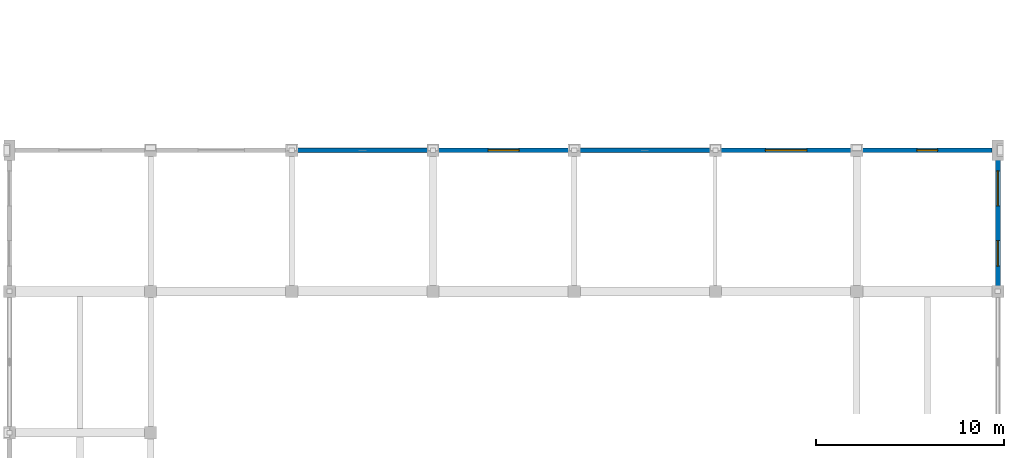
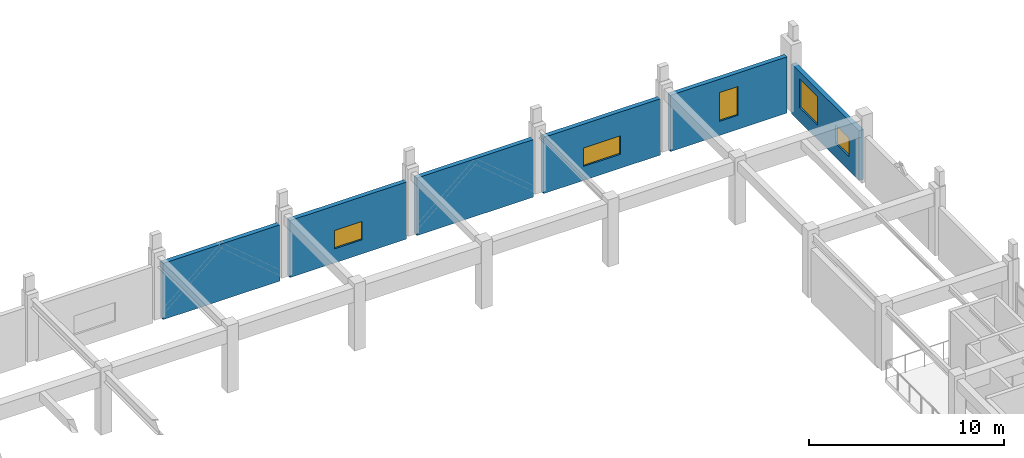
# One storey, part 38 of 51: 6 walls, 5 windows, 5 openings.
"""IFC4 building model written with IfcOpenShell, lengths in metres."""

from ifc_helpers import new_model, si_unit, direction, frame, frame_2d, origin, place, context, subcontext, project, spatial, rectangle, extrude, material, layer, layer_set, type_object, element, fill, save


model = new_model("IFC4")

# Units and contexts
model_context = context("Model", 3, precision=1e-05, world=origin(), true_north=direction((0.0, 1.0)))
body_context = subcontext(model_context, "Body", "Model", "MODEL_VIEW")
ifc_project = project(units=[si_unit("LENGTHUNIT", "METRE"), si_unit("AREAUNIT", "SQUARE_METRE"), si_unit("VOLUMEUNIT", "CUBIC_METRE"), si_unit("PLANEANGLEUNIT", "RADIAN"), si_unit("MASSUNIT", "GRAM", prefix="KILO")], contexts=[model_context])

# Site, building, storey
site_placement = place(None, origin())
site = spatial("IfcSite", under=ifc_project, at=site_placement, CompositionType="ELEMENT")
building_placement = place(site_placement, origin())
building = spatial("IfcBuilding", under=site, at=building_placement, Name="Qasida Concert Hall", CompositionType="ELEMENT")
storey_placement = place(building_placement, frame((0.0, 0.0, 21.0)))
storey = spatial("IfcBuildingStorey", under=building, at=storey_placement, Name="L05", CompositionType="ELEMENT", Elevation=21.0)

# Wall, openings, windows
ifc_material_1 = material(Name="Precast concrete C40/50", Category="concrete")
ifc_layer = layer(ifc_material_1, 0.260009765625, Name="Precast concrete C40/50")
ifc_layer_set = layer_set([ifc_layer], Name="Precast concrete C40/50")
wall_type = type_object("IfcWallType", Name="WL-EW-260", PredefinedType="SOLIDWALL", material=ifc_layer_set)
wall_1_placement = place(storey_placement, frame((105.0, 75.300048828125, -0.280029296875), z_axis=(0.0, 0.0, 1.0), x_axis=(0.0, 1.0, 0.0)))
wall_1 = element("IfcWall", 1, at=wall_1_placement, inside=storey, type_object=wall_type, Name="L05 exterior wall EW-260 0105", PredefinedType="SOLIDWALL", context=body_context, shape_type="SweptSolid", body=[
    extrude(rectangle(XDim=6.89990234375, YDim=0.260009765625, at=frame_2d((3.449951171875, 0.0))), origin(), (0.0, 0.0, 1.0), 3.1201171875),
])
opening_1_placement = place(wall_1_placement, frame((1.050048828125, 0.0, 0.8798828125)))
opening_1 = element("IfcOpeningElement", 2, at=opening_1_placement, cuts=wall_1, Name="Opening WN-23", PredefinedType="OPENING", context=body_context, shape_type="SweptSolid", body=[
    extrude(rectangle(XDim=1.35009765625, YDim=1.14990234375, at=frame_2d((0.675048828125, 0.574951171875))), frame((0.0, 0.139892578125, 0.0), z_axis=(0.0, -1.0, 0.0), x_axis=(1.0, 0.0, 0.0)), (0.0, 0.0, 1.0), 0.280029296875),
])
opening_2_placement = place(wall_1_placement, frame((4.25, 0.0, 0.8798828125)))
opening_2 = element("IfcOpeningElement", 3, at=opening_2_placement, cuts=wall_1, Name="Opening WN-06", PredefinedType="OPENING", context=body_context, shape_type="SweptSolid", body=[
    extrude(rectangle(XDim=1.85009765625, YDim=1.800048828125, at=frame_2d((0.925048828125, 0.89990234375))), frame((0.0, 0.139892578125, 0.0), z_axis=(0.0, -1.0, 0.0), x_axis=(1.0, 0.0, 0.0)), (0.0, 0.0, 1.0), 0.280029296875),
])
ifc_material_2 = material(Name="Bronze-anodized aluminium frame with acoustic low-E glazing", Category="aluminium")
window_type_1 = type_object("IfcWindowType", Name="WN-06", PartitioningType="SINGLE_PANEL", PredefinedType="WINDOW", material=ifc_material_2)
window_1_placement = place(opening_2_placement, origin())
window_1 = element("IfcWindow", 4, at=window_1_placement, inside=storey, type_object=window_type_1, Name="L05 window WN-06 0040", OverallHeight=1.800048828125, OverallWidth=1.85009765625, PartitioningType="SINGLE_PANEL", PredefinedType="WINDOW", context=body_context, shape_type="SweptSolid", body=[
    extrude(rectangle(XDim=1.85009765625, YDim=1.800048828125, at=frame_2d((0.925048828125, 0.89990234375))), frame((0.0, 0.030029296875, 0.0), z_axis=(0.0, -1.0, 0.0), x_axis=(1.0, 0.0, 0.0)), (0.0, 0.0, 1.0), 0.06005859375),
])
fill(opening_2, window_1)
window_type_2 = type_object("IfcWindowType", Name="WN-23", PartitioningType="SINGLE_PANEL", PredefinedType="WINDOW", material=ifc_material_2)
window_2_placement = place(opening_1_placement, origin())
window_2 = element("IfcWindow", 5, at=window_2_placement, inside=storey, type_object=window_type_2, Name="L05 window WN-23 0039", OverallHeight=1.14990234375, OverallWidth=1.35009765625, PartitioningType="SINGLE_PANEL", PredefinedType="WINDOW", context=body_context, shape_type="SweptSolid", body=[
    extrude(rectangle(XDim=1.35009765625, YDim=1.14990234375, at=frame_2d((0.675048828125, 0.574951171875))), frame((0.0, 0.030029296875, 0.0), z_axis=(0.0, -1.0, 0.0), x_axis=(1.0, 0.0, 0.0)), (0.0, 0.0, 1.0), 0.06005859375),
])
fill(opening_1, window_2)

# Wall
wall_2_placement = place(storey_placement, frame((67.800048828125, 82.5, -0.280029296875), z_axis=(0.0, 0.0, 1.0), x_axis=(1.0, 0.0, 0.0)))
element("IfcWall", 6, at=wall_2_placement, inside=storey, type_object=wall_type, Name="L05 exterior wall EW-260 0108", PredefinedType="SOLIDWALL", context=body_context, shape_type="SweptSolid", body=[
    extrude(rectangle(XDim=6.89990234375, YDim=0.260009765625, at=frame_2d((3.449951171875, 0.0))), origin(), (0.0, 0.0, 1.0), 3.52001953125),
])

# Wall, opening, window
wall_3_placement = place(storey_placement, frame((75.300048828125, 82.5, -0.280029296875), z_axis=(0.0, 0.0, 1.0), x_axis=(1.0, 0.0, 0.0)))
wall_3 = element("IfcWall", 7, at=wall_3_placement, inside=storey, type_object=wall_type, Name="L05 exterior wall EW-260 0109", PredefinedType="SOLIDWALL", context=body_context, shape_type="SweptSolid", body=[
    extrude(rectangle(XDim=6.89990234375, YDim=0.260009765625, at=frame_2d((3.449951171875, 0.0))), origin(), (0.0, 0.0, 1.0), 3.570068359375),
])
opening_3_placement = place(wall_3_placement, frame((2.625, 0.0, 0.8798828125)))
opening_3 = element("IfcOpeningElement", 8, at=opening_3_placement, cuts=wall_3, Name="Opening WN-24", PredefinedType="OPENING", context=body_context, shape_type="SweptSolid", body=[
    extrude(rectangle(XDim=1.64990234375, YDim=1.14990234375, at=frame_2d((0.824951171875, 0.574951171875))), frame((0.0, 0.139892578125, 0.0), z_axis=(0.0, -1.0, 0.0), x_axis=(1.0, 0.0, 0.0)), (0.0, 0.0, 1.0), 0.280029296875),
])
window_type_3 = type_object("IfcWindowType", Name="WN-24", PartitioningType="SINGLE_PANEL", PredefinedType="WINDOW", material=ifc_material_2)
window_3_placement = place(opening_3_placement, origin())
window_3 = element("IfcWindow", 9, at=window_3_placement, inside=storey, type_object=window_type_3, Name="L05 window WN-24 0043", OverallHeight=1.14990234375, OverallWidth=1.64990234375, PartitioningType="SINGLE_PANEL", PredefinedType="WINDOW", context=body_context, shape_type="SweptSolid", body=[
    extrude(rectangle(XDim=1.64990234375, YDim=1.14990234375, at=frame_2d((0.824951171875, 0.574951171875))), frame((0.0, 0.030029296875, 0.0), z_axis=(0.0, -1.0, 0.0), x_axis=(1.0, 0.0, 0.0)), (0.0, 0.0, 1.0), 0.06005859375),
])
fill(opening_3, window_3)

# Wall
wall_4_placement = place(storey_placement, frame((82.800048828125, 82.5, -0.280029296875), z_axis=(0.0, 0.0, 1.0), x_axis=(1.0, 0.0, 0.0)))
element("IfcWall", 10, at=wall_4_placement, inside=storey, type_object=wall_type, Name="L05 exterior wall EW-260 0110", PredefinedType="SOLIDWALL", context=body_context, shape_type="SweptSolid", body=[
    extrude(rectangle(XDim=6.89990234375, YDim=0.260009765625, at=frame_2d((3.449951171875, 0.0))), origin(), (0.0, 0.0, 1.0), 3.60009765625),
])

# Wall, opening, window
wall_5_placement = place(storey_placement, frame((90.300048828125, 82.5, -0.280029296875), z_axis=(0.0, 0.0, 1.0), x_axis=(1.0, 0.0, 0.0)))
wall_5 = element("IfcWall", 11, at=wall_5_placement, inside=storey, type_object=wall_type, Name="L05 exterior wall EW-260 0111", PredefinedType="SOLIDWALL", context=body_context, shape_type="SweptSolid", body=[
    extrude(rectangle(XDim=6.89990234375, YDim=0.260009765625, at=frame_2d((3.449951171875, 0.0))), origin(), (0.0, 0.0, 1.0), 3.52001953125),
])
opening_4_placement = place(wall_5_placement, frame((2.35009765625, 0.0, 0.8798828125)))
opening_4 = element("IfcOpeningElement", 12, at=opening_4_placement, cuts=wall_5, Name="Opening WN-26", PredefinedType="OPENING", context=body_context, shape_type="SweptSolid", body=[
    extrude(rectangle(XDim=2.199951171875, YDim=1.14990234375, at=frame_2d((1.10009765625, 0.574951171875))), frame((0.0, 0.139892578125, 0.0), z_axis=(0.0, -1.0, 0.0), x_axis=(1.0, 0.0, 0.0)), (0.0, 0.0, 1.0), 0.280029296875),
])
window_type_4 = type_object("IfcWindowType", Name="WN-26", PartitioningType="SINGLE_PANEL", PredefinedType="WINDOW", material=ifc_material_2)
window_4_placement = place(opening_4_placement, origin())
window_4 = element("IfcWindow", 13, at=window_4_placement, inside=storey, type_object=window_type_4, Name="L05 window WN-26 0044", OverallHeight=1.14990234375, OverallWidth=2.199951171875, PartitioningType="SINGLE_PANEL", PredefinedType="WINDOW", context=body_context, shape_type="SweptSolid", body=[
    extrude(rectangle(XDim=2.199951171875, YDim=1.14990234375, at=frame_2d((1.10009765625, 0.574951171875))), frame((0.0, 0.030029296875, 0.0), z_axis=(0.0, -1.0, 0.0), x_axis=(1.0, 0.0, 0.0)), (0.0, 0.0, 1.0), 0.06005859375),
])
fill(opening_4, window_4)

wall_6_placement = place(storey_placement, frame((97.800048828125, 82.5, -0.280029296875), z_axis=(0.0, 0.0, 1.0), x_axis=(1.0, 0.0, 0.0)))
wall_6 = element("IfcWall", 14, at=wall_6_placement, inside=storey, type_object=wall_type, Name="L05 exterior wall EW-260 0112", PredefinedType="SOLIDWALL", context=body_context, shape_type="SweptSolid", body=[
    extrude(rectangle(XDim=6.89990234375, YDim=0.260009765625, at=frame_2d((3.449951171875, 0.0))), origin(), (0.0, 0.0, 1.0), 3.52001953125),
])
opening_5_placement = place(wall_6_placement, frame((2.89990234375, 0.0, 0.8798828125)))
opening_5 = element("IfcOpeningElement", 15, at=opening_5_placement, cuts=wall_6, Name="Opening WN-01", PredefinedType="OPENING", context=body_context, shape_type="SweptSolid", body=[
    extrude(rectangle(XDim=1.10009765625, YDim=1.800048828125, at=frame_2d((0.550048828125, 0.89990234375))), frame((0.0, 0.139892578125, 0.0), z_axis=(0.0, -1.0, 0.0), x_axis=(1.0, 0.0, 0.0)), (0.0, 0.0, 1.0), 0.280029296875),
])
window_type_5 = type_object("IfcWindowType", Name="WN-01", PartitioningType="SINGLE_PANEL", PredefinedType="WINDOW", material=ifc_material_2)
window_5_placement = place(opening_5_placement, origin())
window_5 = element("IfcWindow", 16, at=window_5_placement, inside=storey, type_object=window_type_5, Name="L05 window WN-01 0045", OverallHeight=1.800048828125, OverallWidth=1.10009765625, PartitioningType="SINGLE_PANEL", PredefinedType="WINDOW", context=body_context, shape_type="SweptSolid", body=[
    extrude(rectangle(XDim=1.10009765625, YDim=1.800048828125, at=frame_2d((0.550048828125, 0.89990234375))), frame((0.0, 0.030029296875, 0.0), z_axis=(0.0, -1.0, 0.0), x_axis=(1.0, 0.0, 0.0)), (0.0, 0.0, 1.0), 0.06005859375),
])
fill(opening_5, window_5)

save(model, "model.ifc")
